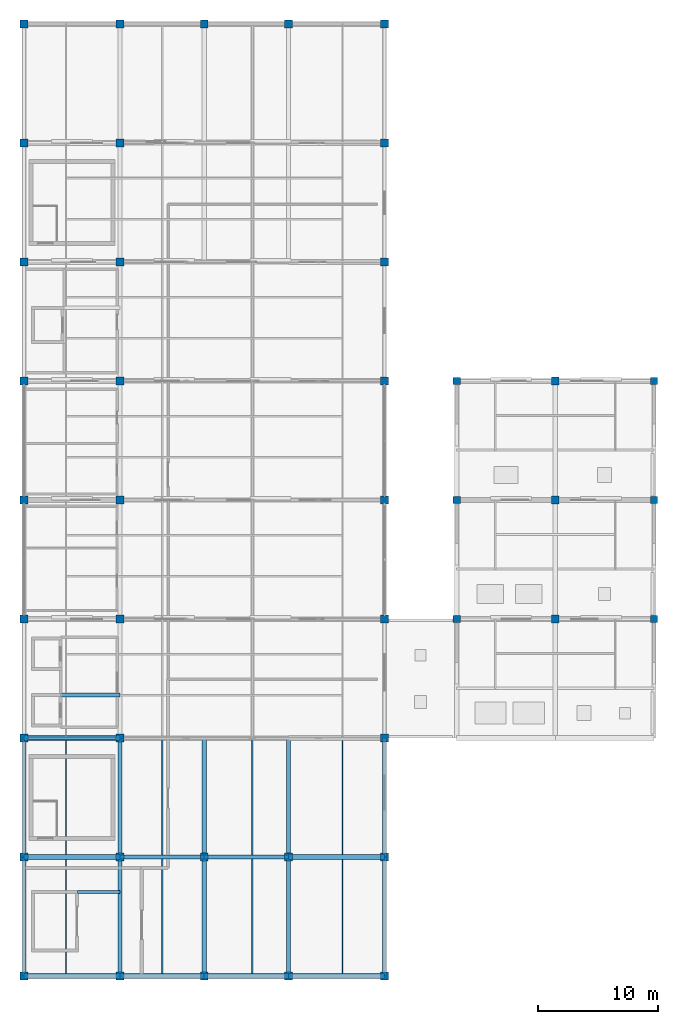
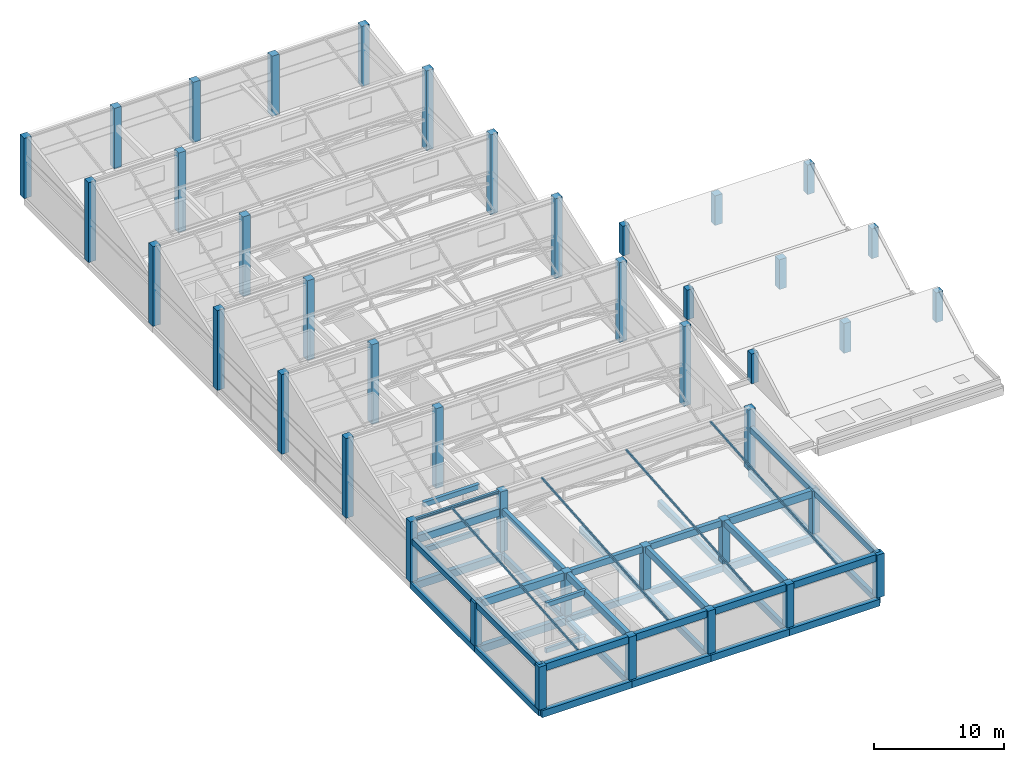
# One storey, part 1 of 35: 42 columns, 41 beams, 4 members.
"""IFC4 building model written with IfcOpenShell, lengths in metres."""

from ifc_helpers import new_model, si_unit, direction, frame, origin, origin_2d, place, context, subcontext, project, spatial, rectangle, hollow_rectangle, i_section, extrude, material, material_profile, profile_set, type_object, element, save


model = new_model("IFC4")

# Units and contexts
model_context = context("Model", 3, precision=1e-05, world=origin(), true_north=direction((0.0, 1.0)))
body_context = subcontext(model_context, "Body", "Model", "MODEL_VIEW")
ifc_project = project(units=[si_unit("LENGTHUNIT", "METRE"), si_unit("AREAUNIT", "SQUARE_METRE"), si_unit("VOLUMEUNIT", "CUBIC_METRE"), si_unit("PLANEANGLEUNIT", "RADIAN"), si_unit("MASSUNIT", "GRAM", prefix="KILO")], contexts=[model_context])

# Site, building, storey
site_placement = place(None, origin())
site = spatial("IfcSite", under=ifc_project, at=site_placement, CompositionType="ELEMENT")
building_placement = place(site_placement, origin())
building = spatial("IfcBuilding", under=site, at=building_placement, Name="Sillaruma Civic Art Gallery", CompositionType="ELEMENT")
storey_placement = place(building_placement, frame((0.0, 0.0, 74.4599609375)))
storey = spatial("IfcBuildingStorey", under=building, at=storey_placement, Name="L15", CompositionType="ELEMENT", Elevation=74.4599609375)

# Columns
ifc_material_1 = material(Name="Concrete H40 (40 MPa)", Category="concrete")
ifc_material_profile_1 = material_profile(ifc_material_1, rectangle(XDim=0.60009765625, YDim=0.60009765625, at=origin_2d()), Name="RC600x600")
ifc_profile_set_1 = profile_set([ifc_material_profile_1], Name="Concrete H40 (40 MPa)")
column_type_1 = type_object("IfcColumnType", Name="COL-COLUMN-RC600x600", PredefinedType="COLUMN", material=ifc_profile_set_1)
for number, where, z_axis, x_axis, name in (
    (1, (98.0, 49.5, 0.0), (0.0, 0.0, 1.0), (1.0, 0.0, 0.0), "Column C-08 (L15:L6)"),
    (2, (98.0, 59.39990234375, 0.0), (0.0, 0.0, 1.0), (1.0, 0.0, 0.0), "Column C-08 (L15:L7)"),
    (3, (98.0, 69.300048828125, 0.0), (0.0, 0.0, 1.0), (1.0, 0.0, 0.0), "Column C-08 (L15:L8)"),
    (4, (114.39990234375, 49.5, 0.0), (0.0, 0.0, 1.0), (1.0, 0.0, 0.0), "Column C-08 (L15:N6)"),
    (5, (114.39990234375, 59.39990234375, 0.0), (0.0, 0.0, 1.0), (1.0, 0.0, 0.0), "Column C-08 (L15:N7)"),
    (6, (114.39990234375, 69.300048828125, 0.0), (0.0, 0.0, 1.0), (1.0, 0.0, 0.0), "Column C-08 (L15:N8)"),
):
    element("IfcColumn", number, at=place(storey_placement, frame(where, z_axis=z_axis, x_axis=x_axis)), inside=storey, type_object=column_type_1, Name=name, PredefinedType="COLUMN", context=body_context, shape_type="SweptSolid", body=[
        extrude(rectangle(XDim=0.60009765625, YDim=0.60009765625, at=origin_2d()), origin(), (0.0, 0.0, 1.0), 2.7900390625),
    ])
ifc_material_profile_2 = material_profile(ifc_material_1, rectangle(XDim=0.64990234375, YDim=0.64990234375, at=origin_2d()), Name="RC650x650")
ifc_profile_set_2 = profile_set([ifc_material_profile_2], Name="Concrete H40 (40 MPa)")
column_type_2 = type_object("IfcColumnType", Name="COL-COLUMN-RC650x650", PredefinedType="COLUMN", material=ifc_profile_set_2)
for number, where, z_axis, x_axis, name in (
    (7, (62.0, 19.800048828125, 0.0), (0.0, 0.0, 1.0), (1.0, 0.0, 0.0), "Column C-07 (L15:F3)"),
    (8, (62.0, 29.699951171875, 0.0), (0.0, 0.0, 1.0), (1.0, 0.0, 0.0), "Column C-07 (L15:F4)"),
):
    element("IfcColumn", number, at=place(storey_placement, frame(where, z_axis=z_axis, x_axis=x_axis)), inside=storey, type_object=column_type_2, Name=name, PredefinedType="COLUMN", context=body_context, shape_type="SweptSolid", body=[
        extrude(rectangle(XDim=0.64990234375, YDim=0.64990234375, at=origin_2d()), origin(), (0.0, 0.0, 1.0), 4.0400390625),
    ])
column_1_placement = place(storey_placement, frame((62.0, 39.60009765625, 0.0), z_axis=(0.0, 0.0, 1.0), x_axis=(1.0, 0.0, 0.0)))
element("IfcColumn", 9, at=column_1_placement, inside=storey, type_object=column_type_2, Name="Column C-07 (L15:F5)", PredefinedType="COLUMN", context=body_context, shape_type="SweptSolid", body=[
    extrude(rectangle(XDim=0.64990234375, YDim=0.64990234375, at=origin_2d()), origin(), (0.0, 0.0, 1.0), 5.66015625),
])
for number, where, z_axis, x_axis, name in (
    (10, (62.0, 49.5, 0.0), (0.0, 0.0, 1.0), (1.0, 0.0, 0.0), "Column C-07 (L15:F6)"),
    (11, (62.0, 59.39990234375, 0.0), (0.0, 0.0, 1.0), (1.0, 0.0, 0.0), "Column C-07 (L15:F7)"),
    (12, (62.0, 69.300048828125, 0.0), (0.0, 0.0, 1.0), (1.0, 0.0, 0.0), "Column C-07 (L15:F8)"),
    (13, (62.0, 79.199951171875, 0.0), (0.0, 0.0, 1.0), (1.0, 0.0, 0.0), "Column C-07 (L15:F9)"),
    (14, (62.0, 89.10009765625, 0.0), (0.0, 0.0, 1.0), (1.0, 0.0, 0.0), "Column C-07 (L15:F10)"),
):
    element("IfcColumn", number, at=place(storey_placement, frame(where, z_axis=z_axis, x_axis=x_axis)), inside=storey, type_object=column_type_2, Name=name, PredefinedType="COLUMN", context=body_context, shape_type="SweptSolid", body=[
        extrude(rectangle(XDim=0.64990234375, YDim=0.64990234375, at=origin_2d()), origin(), (0.0, 0.0, 1.0), 7.489990234375),
    ])
column_2_placement = place(storey_placement, frame((62.0, 99.0, 0.0), z_axis=(0.0, 0.0, 1.0), x_axis=(1.0, 0.0, 0.0)))
element("IfcColumn", 15, at=column_2_placement, inside=storey, type_object=column_type_2, Name="Column C-07 (L15:F11)", PredefinedType="COLUMN", context=body_context, shape_type="SweptSolid", body=[
    extrude(rectangle(XDim=0.64990234375, YDim=0.64990234375, at=origin_2d()), origin(), (0.0, 0.0, 1.0), 5.66015625),
])
for number, where, z_axis, x_axis, name in (
    (16, (70.0, 19.800048828125, 0.0), (0.0, 0.0, 1.0), (1.0, 0.0, 0.0), "Column C-07 (L15:G3)"),
    (17, (70.0, 29.699951171875, 0.0), (0.0, 0.0, 1.0), (1.0, 0.0, 0.0), "Column C-07 (L15:G4)"),
):
    element("IfcColumn", number, at=place(storey_placement, frame(where, z_axis=z_axis, x_axis=x_axis)), inside=storey, type_object=column_type_2, Name=name, PredefinedType="COLUMN", context=body_context, shape_type="SweptSolid", body=[
        extrude(rectangle(XDim=0.64990234375, YDim=0.64990234375, at=origin_2d()), origin(), (0.0, 0.0, 1.0), 4.0400390625),
    ])
column_3_placement = place(storey_placement, frame((70.0, 39.60009765625, 0.0), z_axis=(0.0, 0.0, 1.0), x_axis=(1.0, 0.0, 0.0)))
element("IfcColumn", 18, at=column_3_placement, inside=storey, type_object=column_type_2, Name="Column C-07 (L15:G5)", PredefinedType="COLUMN", context=body_context, shape_type="SweptSolid", body=[
    extrude(rectangle(XDim=0.64990234375, YDim=0.64990234375, at=origin_2d()), origin(), (0.0, 0.0, 1.0), 5.66015625),
])
for number, where, z_axis, x_axis, name in (
    (19, (70.0, 49.5, 0.0), (0.0, 0.0, 1.0), (1.0, 0.0, 0.0), "Column C-07 (L15:G6)"),
    (20, (70.0, 59.39990234375, 0.0), (0.0, 0.0, 1.0), (1.0, 0.0, 0.0), "Column C-07 (L15:G7)"),
    (21, (70.0, 69.300048828125, 0.0), (0.0, 0.0, 1.0), (1.0, 0.0, 0.0), "Column C-07 (L15:G8)"),
    (22, (70.0, 79.199951171875, 0.0), (0.0, 0.0, 1.0), (1.0, 0.0, 0.0), "Column C-07 (L15:G9)"),
    (23, (70.0, 89.10009765625, 0.0), (0.0, 0.0, 1.0), (1.0, 0.0, 0.0), "Column C-07 (L15:G10)"),
):
    element("IfcColumn", number, at=place(storey_placement, frame(where, z_axis=z_axis, x_axis=x_axis)), inside=storey, type_object=column_type_2, Name=name, PredefinedType="COLUMN", context=body_context, shape_type="SweptSolid", body=[
        extrude(rectangle(XDim=0.64990234375, YDim=0.64990234375, at=origin_2d()), origin(), (0.0, 0.0, 1.0), 7.489990234375),
    ])
column_4_placement = place(storey_placement, frame((70.0, 99.0, 0.0), z_axis=(0.0, 0.0, 1.0), x_axis=(1.0, 0.0, 0.0)))
element("IfcColumn", 24, at=column_4_placement, inside=storey, type_object=column_type_2, Name="Column C-07 (L15:G11)", PredefinedType="COLUMN", context=body_context, shape_type="SweptSolid", body=[
    extrude(rectangle(XDim=0.64990234375, YDim=0.64990234375, at=origin_2d()), origin(), (0.0, 0.0, 1.0), 5.66015625),
])
for number, where, z_axis, x_axis, name in (
    (25, (77.0, 19.800048828125, 0.0), (0.0, 0.0, 1.0), (1.0, 0.0, 0.0), "Column C-07 (L15:H3)"),
    (26, (77.0, 29.699951171875, 0.0), (0.0, 0.0, 1.0), (1.0, 0.0, 0.0), "Column C-07 (L15:H4)"),
):
    element("IfcColumn", number, at=place(storey_placement, frame(where, z_axis=z_axis, x_axis=x_axis)), inside=storey, type_object=column_type_2, Name=name, PredefinedType="COLUMN", context=body_context, shape_type="SweptSolid", body=[
        extrude(rectangle(XDim=0.64990234375, YDim=0.64990234375, at=origin_2d()), origin(), (0.0, 0.0, 1.0), 4.0400390625),
    ])
column_5_placement = place(storey_placement, frame((77.0, 99.0, 0.0), z_axis=(0.0, 0.0, 1.0), x_axis=(1.0, 0.0, 0.0)))
element("IfcColumn", 27, at=column_5_placement, inside=storey, type_object=column_type_2, Name="Column C-07 (L15:H11)", PredefinedType="COLUMN", context=body_context, shape_type="SweptSolid", body=[
    extrude(rectangle(XDim=0.64990234375, YDim=0.64990234375, at=origin_2d()), origin(), (0.0, 0.0, 1.0), 5.66015625),
])
for number, where, z_axis, x_axis, name in (
    (28, (84.0, 19.800048828125, 0.0), (0.0, 0.0, 1.0), (1.0, 0.0, 0.0), "Column C-07 (L15:J3)"),
    (29, (84.0, 29.699951171875, 0.0), (0.0, 0.0, 1.0), (1.0, 0.0, 0.0), "Column C-07 (L15:J4)"),
):
    element("IfcColumn", number, at=place(storey_placement, frame(where, z_axis=z_axis, x_axis=x_axis)), inside=storey, type_object=column_type_2, Name=name, PredefinedType="COLUMN", context=body_context, shape_type="SweptSolid", body=[
        extrude(rectangle(XDim=0.64990234375, YDim=0.64990234375, at=origin_2d()), origin(), (0.0, 0.0, 1.0), 4.0400390625),
    ])
column_6_placement = place(storey_placement, frame((84.0, 99.0, 0.0), z_axis=(0.0, 0.0, 1.0), x_axis=(1.0, 0.0, 0.0)))
element("IfcColumn", 30, at=column_6_placement, inside=storey, type_object=column_type_2, Name="Column C-07 (L15:J11)", PredefinedType="COLUMN", context=body_context, shape_type="SweptSolid", body=[
    extrude(rectangle(XDim=0.64990234375, YDim=0.64990234375, at=origin_2d()), origin(), (0.0, 0.0, 1.0), 5.66015625),
])
for number, where, z_axis, x_axis, name in (
    (31, (92.0, 19.800048828125, 0.0), (0.0, 0.0, 1.0), (1.0, 0.0, 0.0), "Column C-07 (L15:K3)"),
    (32, (92.0, 29.699951171875, 0.0), (0.0, 0.0, 1.0), (1.0, 0.0, 0.0), "Column C-07 (L15:K4)"),
):
    element("IfcColumn", number, at=place(storey_placement, frame(where, z_axis=z_axis, x_axis=x_axis)), inside=storey, type_object=column_type_2, Name=name, PredefinedType="COLUMN", context=body_context, shape_type="SweptSolid", body=[
        extrude(rectangle(XDim=0.64990234375, YDim=0.64990234375, at=origin_2d()), origin(), (0.0, 0.0, 1.0), 4.0400390625),
    ])
column_7_placement = place(storey_placement, frame((92.0, 39.60009765625, 0.0), z_axis=(0.0, 0.0, 1.0), x_axis=(1.0, 0.0, 0.0)))
element("IfcColumn", 33, at=column_7_placement, inside=storey, type_object=column_type_2, Name="Column C-07 (L15:K5)", PredefinedType="COLUMN", context=body_context, shape_type="SweptSolid", body=[
    extrude(rectangle(XDim=0.64990234375, YDim=0.64990234375, at=origin_2d()), origin(), (0.0, 0.0, 1.0), 5.66015625),
])
for number, where, z_axis, x_axis, name in (
    (34, (92.0, 49.5, 0.0), (0.0, 0.0, 1.0), (1.0, 0.0, 0.0), "Column C-07 (L15:K6)"),
    (35, (92.0, 59.39990234375, 0.0), (0.0, 0.0, 1.0), (1.0, 0.0, 0.0), "Column C-07 (L15:K7)"),
    (36, (92.0, 69.300048828125, 0.0), (0.0, 0.0, 1.0), (1.0, 0.0, 0.0), "Column C-07 (L15:K8)"),
    (37, (92.0, 79.199951171875, 0.0), (0.0, 0.0, 1.0), (1.0, 0.0, 0.0), "Column C-07 (L15:K9)"),
    (38, (92.0, 89.10009765625, 0.0), (0.0, 0.0, 1.0), (1.0, 0.0, 0.0), "Column C-07 (L15:K10)"),
):
    element("IfcColumn", number, at=place(storey_placement, frame(where, z_axis=z_axis, x_axis=x_axis)), inside=storey, type_object=column_type_2, Name=name, PredefinedType="COLUMN", context=body_context, shape_type="SweptSolid", body=[
        extrude(rectangle(XDim=0.64990234375, YDim=0.64990234375, at=origin_2d()), origin(), (0.0, 0.0, 1.0), 7.489990234375),
    ])
column_8_placement = place(storey_placement, frame((92.0, 99.0, 0.0), z_axis=(0.0, 0.0, 1.0), x_axis=(1.0, 0.0, 0.0)))
element("IfcColumn", 39, at=column_8_placement, inside=storey, type_object=column_type_2, Name="Column C-07 (L15:K11)", PredefinedType="COLUMN", context=body_context, shape_type="SweptSolid", body=[
    extrude(rectangle(XDim=0.64990234375, YDim=0.64990234375, at=origin_2d()), origin(), (0.0, 0.0, 1.0), 5.66015625),
])
for number, where, z_axis, x_axis, name in (
    (40, (106.199951171875, 49.5, 0.0), (0.0, 0.0, 1.0), (1.0, 0.0, 0.0), "Column C-07 (L15:M6)"),
    (41, (106.199951171875, 59.39990234375, 0.0), (0.0, 0.0, 1.0), (1.0, 0.0, 0.0), "Column C-07 (L15:M7)"),
    (42, (106.199951171875, 69.300048828125, 0.0), (0.0, 0.0, 1.0), (1.0, 0.0, 0.0), "Column C-07 (L15:M8)"),
):
    element("IfcColumn", number, at=place(storey_placement, frame(where, z_axis=z_axis, x_axis=x_axis)), inside=storey, type_object=column_type_2, Name=name, PredefinedType="COLUMN", context=body_context, shape_type="SweptSolid", body=[
        extrude(rectangle(XDim=0.64990234375, YDim=0.64990234375, at=origin_2d()), origin(), (0.0, 0.0, 1.0), 2.7900390625),
    ])

# Beams
ifc_material_2 = material(Name="Concrete H35 (35 MPa)", Category="concrete")
ifc_material_profile_3 = material_profile(ifc_material_2, rectangle(XDim=0.35009765625, YDim=0.60009765625, at=origin_2d()), Name="RCB350x600")
ifc_profile_set_3 = profile_set([ifc_material_profile_3], Name="Concrete H35 (35 MPa)")
beam_type_1 = type_object("IfcBeamType", Name="BM-BEAM-RCB350x600", PredefinedType="BEAM", material=ifc_profile_set_3)
for number, where, z_axis, x_axis, name in (
    (43, (70.0, 29.699951171875, -0.550048828125), (1.0, 0.0, 0.0), (0.0, 1.0, 0.0), "Beam BM-06 (L14:4:G-H)"),
    (44, (77.0, 29.699951171875, -0.550048828125), (1.0, 0.0, 0.0), (0.0, 1.0, 0.0), "Beam BM-06 (L14:4:H-J)"),
):
    element("IfcBeam", number, at=place(storey_placement, frame(where, z_axis=z_axis, x_axis=x_axis)), inside=storey, type_object=beam_type_1, Name=name, PredefinedType="BEAM", context=body_context, shape_type="SweptSolid", body=[
        extrude(rectangle(XDim=0.35009765625, YDim=0.60009765625, at=origin_2d()), origin(), (0.0, 0.0, 1.0), 7.0),
    ])
beam_1_placement = place(storey_placement, frame((70.0, 19.800048828125, -0.550048828125), z_axis=(0.0, 1.0, 0.0), x_axis=(-1.0, 0.0, 0.0)))
element("IfcBeam", 45, at=beam_1_placement, inside=storey, type_object=beam_type_1, Name="Beam BM-06 (L14:G:3-4)", PredefinedType="BEAM", context=body_context, shape_type="SweptSolid", body=[
    extrude(rectangle(XDim=0.35009765625, YDim=0.60009765625, at=origin_2d()), origin(), (0.0, 0.0, 1.0), 9.89990234375),
])
beam_2_placement = place(storey_placement, frame((70.0, 29.699951171875, -0.550048828125), z_axis=(0.0, 1.0, 0.0), x_axis=(-1.0, 0.0, 0.0)))
element("IfcBeam", 46, at=beam_2_placement, inside=storey, type_object=beam_type_1, Name="Beam BM-06 (L14:G:4-5)", PredefinedType="BEAM", context=body_context, shape_type="SweptSolid", body=[
    extrude(rectangle(XDim=0.35009765625, YDim=0.60009765625, at=origin_2d()), origin(), (0.0, 0.0, 1.0), 9.900146484375),
])
beam_3_placement = place(storey_placement, frame((77.0, 19.800048828125, -0.550048828125), z_axis=(0.0, 1.0, 0.0), x_axis=(-1.0, 0.0, 0.0)))
element("IfcBeam", 47, at=beam_3_placement, inside=storey, type_object=beam_type_1, Name="Beam BM-06 (L14:H:3-4)", PredefinedType="BEAM", context=body_context, shape_type="SweptSolid", body=[
    extrude(rectangle(XDim=0.35009765625, YDim=0.60009765625, at=origin_2d()), origin(), (0.0, 0.0, 1.0), 9.89990234375),
])
beam_4_placement = place(storey_placement, frame((77.0, 29.699951171875, -0.550048828125), z_axis=(0.0, 1.0, 0.0), x_axis=(-1.0, 0.0, 0.0)))
element("IfcBeam", 48, at=beam_4_placement, inside=storey, type_object=beam_type_1, Name="Beam BM-06 (L14:H:4-5)", PredefinedType="BEAM", context=body_context, shape_type="SweptSolid", body=[
    extrude(rectangle(XDim=0.35009765625, YDim=0.60009765625, at=origin_2d()), origin(), (0.0, 0.0, 1.0), 9.900146484375),
])
beam_5_placement = place(storey_placement, frame((84.0, 19.800048828125, -0.550048828125), z_axis=(0.0, 1.0, 0.0), x_axis=(-1.0, 0.0, 0.0)))
element("IfcBeam", 49, at=beam_5_placement, inside=storey, type_object=beam_type_1, Name="Beam BM-06 (L14:J:3-4)", PredefinedType="BEAM", context=body_context, shape_type="SweptSolid", body=[
    extrude(rectangle(XDim=0.35009765625, YDim=0.60009765625, at=origin_2d()), origin(), (0.0, 0.0, 1.0), 9.89990234375),
])
beam_6_placement = place(storey_placement, frame((84.0, 29.699951171875, -0.550048828125), z_axis=(0.0, 1.0, 0.0), x_axis=(-1.0, 0.0, 0.0)))
element("IfcBeam", 50, at=beam_6_placement, inside=storey, type_object=beam_type_1, Name="Beam BM-06 (L14:J:4-5)", PredefinedType="BEAM", context=body_context, shape_type="SweptSolid", body=[
    extrude(rectangle(XDim=0.35009765625, YDim=0.60009765625, at=origin_2d()), origin(), (0.0, 0.0, 1.0), 9.900146484375),
])
ifc_material_profile_4 = material_profile(ifc_material_2, rectangle(XDim=0.39990234375, YDim=0.699951171875, at=origin_2d()), Name="RCB400x700")
ifc_profile_set_4 = profile_set([ifc_material_profile_4], Name="Concrete H35 (35 MPa)")
beam_type_2 = type_object("IfcBeamType", Name="BM-BEAM-RCB400x700", PredefinedType="BEAM", material=ifc_profile_set_4)
for number, where, z_axis, x_axis, name in (
    (51, (62.0, 29.699951171875, -0.599853515625), (1.0, 0.0, 0.0), (0.0, 1.0, 0.0), "Beam BM-04 (L14:4:F-G)"),
    (52, (84.0, 29.699951171875, -0.599853515625), (1.0, 0.0, 0.0), (0.0, 1.0, 0.0), "Beam BM-04 (L14:4:J-K)"),
    (53, (62.0, 39.60009765625, -0.599853515625), (1.0, 0.0, 0.0), (0.0, 1.0, 0.0), "Beam BM-04 (L14:5:F-G)"),
):
    element("IfcBeam", number, at=place(storey_placement, frame(where, z_axis=z_axis, x_axis=x_axis)), inside=storey, type_object=beam_type_2, Name=name, PredefinedType="BEAM", context=body_context, shape_type="SweptSolid", body=[
        extrude(rectangle(XDim=0.39990234375, YDim=0.699951171875, at=origin_2d()), origin(), (0.0, 0.0, 1.0), 8.0),
    ])
ifc_material_profile_5 = material_profile(ifc_material_2, rectangle(XDim=0.260009765625, YDim=0.419921875, at=origin_2d()), Name="RCB260x420")
ifc_profile_set_5 = profile_set([ifc_material_profile_5], Name="Concrete H35 (35 MPa)")
beam_type_3 = type_object("IfcBeamType", Name="BM-LINTEL-RCB260x420", PredefinedType="LINTEL", material=ifc_profile_set_5)
beam_7_placement = place(storey_placement, frame((66.449951171875, 26.780029296875, -0.4599609375), z_axis=(1.0, 0.0, 0.0), x_axis=(0.0, 1.0, 0.0)))
element("IfcBeam", 54, at=beam_7_placement, inside=storey, type_object=beam_type_3, Name="Core Portal Coupling Lintel BL-02 (L14:GL1)", PredefinedType="LINTEL", context=body_context, shape_type="SweptSolid", body=[
    extrude(rectangle(XDim=0.260009765625, YDim=0.419921875, at=origin_2d()), origin(), (0.0, 0.0, 1.0), 3.550048828125),
])
ifc_material_profile_6 = material_profile(ifc_material_2, rectangle(XDim=0.300048828125, YDim=0.4599609375, at=origin_2d()), Name="RCB300x460")
ifc_profile_set_6 = profile_set([ifc_material_profile_6], Name="Concrete H35 (35 MPa)")
beam_type_4 = type_object("IfcBeamType", Name="BM-LINTEL-RCB300x460", PredefinedType="LINTEL", material=ifc_profile_set_6)
beam_8_placement = place(storey_placement, frame((65.050048828125, 43.179931640625, -0.47998046875), z_axis=(1.0, 0.0, 0.0), x_axis=(0.0, 1.0, 0.0)))
element("IfcBeam", 55, at=beam_8_placement, inside=storey, type_object=beam_type_4, Name="Core Portal Coupling Lintel BL-01 (L14:PL1)", PredefinedType="LINTEL", context=body_context, shape_type="SweptSolid", body=[
    extrude(rectangle(XDim=0.300048828125, YDim=0.4599609375, at=origin_2d()), origin(), (0.0, 0.0, 1.0), 4.949951171875),
])
ifc_material_profile_7 = material_profile(ifc_material_2, rectangle(XDim=0.260009765625, YDim=0.419921875, at=origin_2d()), Name="RCB260x420")
ifc_profile_set_7 = profile_set([ifc_material_profile_7], Name="Concrete H35 (35 MPa)")
beam_type_5 = type_object("IfcBeamType", Name="BM-RLINTEL-RCB260x420", PredefinedType="LINTEL", material=ifc_profile_set_7)
beam_9_placement = place(storey_placement, frame((66.449951171875, 26.780029296875, 3.830078125), z_axis=(1.0, 0.0, 0.0), x_axis=(0.0, 1.0, 0.0)))
element("IfcBeam", 56, at=beam_9_placement, inside=storey, type_object=beam_type_5, Name="Core Portal Coupling Lintel BLR-02 (L15:GL1)", PredefinedType="LINTEL", context=body_context, shape_type="SweptSolid", body=[
    extrude(rectangle(XDim=0.260009765625, YDim=0.419921875, at=origin_2d()), origin(), (0.0, 0.0, 1.0), 3.550048828125),
])
ifc_material_profile_8 = material_profile(ifc_material_2, rectangle(XDim=0.300048828125, YDim=0.4599609375, at=origin_2d()), Name="RCB300x460")
ifc_profile_set_8 = profile_set([ifc_material_profile_8], Name="Concrete H35 (35 MPa)")
beam_type_6 = type_object("IfcBeamType", Name="BM-RLINTEL-RCB300x460", PredefinedType="LINTEL", material=ifc_profile_set_8)
beam_10_placement = place(storey_placement, frame((65.050048828125, 43.179931640625, 3.81005859375), z_axis=(1.0, 0.0, 0.0), x_axis=(0.0, 1.0, 0.0)))
element("IfcBeam", 57, at=beam_10_placement, inside=storey, type_object=beam_type_6, Name="Core Portal Coupling Lintel BLR-01 (L15:PL1)", PredefinedType="LINTEL", context=body_context, shape_type="SweptSolid", body=[
    extrude(rectangle(XDim=0.300048828125, YDim=0.4599609375, at=origin_2d()), origin(), (0.0, 0.0, 1.0), 4.949951171875),
])
ifc_material_profile_9 = material_profile(ifc_material_2, rectangle(XDim=0.35009765625, YDim=0.550048828125, at=origin_2d()), Name="RCB350x550")
ifc_profile_set_9 = profile_set([ifc_material_profile_9], Name="Concrete H35 (35 MPa)")
beam_type_7 = type_object("IfcBeamType", Name="BM-ROF-RCB350x550", PredefinedType="SPANDREL", material=ifc_profile_set_9)
beam_11_placement = place(storey_placement, frame((62.0, 19.800048828125, 3.76513671875), z_axis=(0.0, 1.0, 0.0), x_axis=(-1.0, 0.0, 0.0)))
element("IfcBeam", 58, at=beam_11_placement, inside=storey, type_object=beam_type_7, Name="Beam BSR-04 (L15:F:3-4)", PredefinedType="SPANDREL", context=body_context, shape_type="SweptSolid", body=[
    extrude(rectangle(XDim=0.35009765625, YDim=0.550048828125, at=origin_2d()), origin(), (0.0, 0.0, 1.0), 9.89990234375),
])
beam_12_placement = place(storey_placement, frame((62.0, 29.699951171875, 3.76513671875), z_axis=(0.0, 1.0, 0.0), x_axis=(-1.0, 0.0, 0.0)))
element("IfcBeam", 59, at=beam_12_placement, inside=storey, type_object=beam_type_7, Name="Beam BSR-04 (L15:F:4-5)", PredefinedType="SPANDREL", context=body_context, shape_type="SweptSolid", body=[
    extrude(rectangle(XDim=0.35009765625, YDim=0.550048828125, at=origin_2d()), origin(), (0.0, 0.0, 1.0), 9.900146484375),
])
beam_13_placement = place(storey_placement, frame((92.0, 19.800048828125, 3.76513671875), z_axis=(0.0, 1.0, 0.0), x_axis=(-1.0, 0.0, 0.0)))
element("IfcBeam", 60, at=beam_13_placement, inside=storey, type_object=beam_type_7, Name="Beam BSR-04 (L15:K:3-4)", PredefinedType="SPANDREL", context=body_context, shape_type="SweptSolid", body=[
    extrude(rectangle(XDim=0.35009765625, YDim=0.550048828125, at=origin_2d()), origin(), (0.0, 0.0, 1.0), 9.89990234375),
])
beam_14_placement = place(storey_placement, frame((92.0, 29.699951171875, 3.76513671875), z_axis=(0.0, 1.0, 0.0), x_axis=(-1.0, 0.0, 0.0)))
element("IfcBeam", 61, at=beam_14_placement, inside=storey, type_object=beam_type_7, Name="Beam BSR-04 (L15:K:4-5)", PredefinedType="SPANDREL", context=body_context, shape_type="SweptSolid", body=[
    extrude(rectangle(XDim=0.35009765625, YDim=0.550048828125, at=origin_2d()), origin(), (0.0, 0.0, 1.0), 9.900146484375),
])
ifc_material_profile_10 = material_profile(ifc_material_2, rectangle(XDim=0.35009765625, YDim=0.60009765625, at=origin_2d()), Name="RCB350x600")
ifc_profile_set_10 = profile_set([ifc_material_profile_10], Name="Concrete H35 (35 MPa)")
beam_type_8 = type_object("IfcBeamType", Name="BM-ROF-RCB350x600", PredefinedType="BEAM", material=ifc_profile_set_10)
for number, where, z_axis, x_axis, name in (
    (62, (70.0, 29.699951171875, 3.739990234375), (1.0, 0.0, 0.0), (0.0, 1.0, 0.0), "Beam BRF-06 (L15:4:G-H)"),
    (63, (77.0, 29.699951171875, 3.739990234375), (1.0, 0.0, 0.0), (0.0, 1.0, 0.0), "Beam BRF-06 (L15:4:H-J)"),
):
    element("IfcBeam", number, at=place(storey_placement, frame(where, z_axis=z_axis, x_axis=x_axis)), inside=storey, type_object=beam_type_8, Name=name, PredefinedType="BEAM", context=body_context, shape_type="SweptSolid", body=[
        extrude(rectangle(XDim=0.35009765625, YDim=0.60009765625, at=origin_2d()), origin(), (0.0, 0.0, 1.0), 7.0),
    ])
beam_15_placement = place(storey_placement, frame((70.0, 19.800048828125, 3.739990234375), z_axis=(0.0, 1.0, 0.0), x_axis=(-1.0, 0.0, 0.0)))
element("IfcBeam", 64, at=beam_15_placement, inside=storey, type_object=beam_type_8, Name="Beam BRF-06 (L15:G:3-4)", PredefinedType="BEAM", context=body_context, shape_type="SweptSolid", body=[
    extrude(rectangle(XDim=0.35009765625, YDim=0.60009765625, at=origin_2d()), origin(), (0.0, 0.0, 1.0), 9.89990234375),
])
beam_16_placement = place(storey_placement, frame((70.0, 29.699951171875, 3.739990234375), z_axis=(0.0, 1.0, 0.0), x_axis=(-1.0, 0.0, 0.0)))
element("IfcBeam", 65, at=beam_16_placement, inside=storey, type_object=beam_type_8, Name="Beam BRF-06 (L15:G:4-5)", PredefinedType="BEAM", context=body_context, shape_type="SweptSolid", body=[
    extrude(rectangle(XDim=0.35009765625, YDim=0.60009765625, at=origin_2d()), origin(), (0.0, 0.0, 1.0), 9.900146484375),
])
for number, where, z_axis, x_axis, name in (
    (66, (77.0, 19.800048828125, 3.739990234375), (0.0, 1.0, 0.0), (-1.0, 0.0, 0.0), "Beam BRF-06 (L15:H:3-4)"),
    (67, (84.0, 19.800048828125, 3.739990234375), (0.0, 1.0, 0.0), (-1.0, 0.0, 0.0), "Beam BRF-06 (L15:J:3-4)"),
):
    element("IfcBeam", number, at=place(storey_placement, frame(where, z_axis=z_axis, x_axis=x_axis)), inside=storey, type_object=beam_type_8, Name=name, PredefinedType="BEAM", context=body_context, shape_type="SweptSolid", body=[
        extrude(rectangle(XDim=0.35009765625, YDim=0.60009765625, at=origin_2d()), origin(), (0.0, 0.0, 1.0), 9.89990234375),
    ])
ifc_material_profile_11 = material_profile(ifc_material_2, rectangle(XDim=0.39990234375, YDim=0.64990234375, at=origin_2d()), Name="RCB400x650")
ifc_profile_set_11 = profile_set([ifc_material_profile_11], Name="Concrete H35 (35 MPa)")
beam_type_9 = type_object("IfcBeamType", Name="BM-ROF-RCB400x650", PredefinedType="SPANDREL", material=ifc_profile_set_11)
beam_17_placement = place(storey_placement, frame((62.0, 19.800048828125, 3.715087890625), z_axis=(1.0, 0.0, 0.0), x_axis=(0.0, 1.0, 0.0)))
element("IfcBeam", 68, at=beam_17_placement, inside=storey, type_object=beam_type_9, Name="Beam BSR-02 (L15:3:F-G)", PredefinedType="SPANDREL", context=body_context, shape_type="SweptSolid", body=[
    extrude(rectangle(XDim=0.39990234375, YDim=0.64990234375, at=origin_2d()), origin(), (0.0, 0.0, 1.0), 8.0),
])
for number, where, z_axis, x_axis, name in (
    (69, (70.0, 19.800048828125, 3.715087890625), (1.0, 0.0, 0.0), (0.0, 1.0, 0.0), "Beam BSR-02 (L15:3:G-H)"),
    (70, (77.0, 19.800048828125, 3.715087890625), (1.0, 0.0, 0.0), (0.0, 1.0, 0.0), "Beam BSR-02 (L15:3:H-J)"),
):
    element("IfcBeam", number, at=place(storey_placement, frame(where, z_axis=z_axis, x_axis=x_axis)), inside=storey, type_object=beam_type_9, Name=name, PredefinedType="SPANDREL", context=body_context, shape_type="SweptSolid", body=[
        extrude(rectangle(XDim=0.39990234375, YDim=0.64990234375, at=origin_2d()), origin(), (0.0, 0.0, 1.0), 7.0),
    ])
beam_18_placement = place(storey_placement, frame((84.0, 19.800048828125, 3.715087890625), z_axis=(1.0, 0.0, 0.0), x_axis=(0.0, 1.0, 0.0)))
element("IfcBeam", 71, at=beam_18_placement, inside=storey, type_object=beam_type_9, Name="Beam BSR-02 (L15:3:J-K)", PredefinedType="SPANDREL", context=body_context, shape_type="SweptSolid", body=[
    extrude(rectangle(XDim=0.39990234375, YDim=0.64990234375, at=origin_2d()), origin(), (0.0, 0.0, 1.0), 8.0),
])
ifc_material_profile_12 = material_profile(ifc_material_2, rectangle(XDim=0.39990234375, YDim=0.699951171875, at=origin_2d()), Name="RCB400x700")
ifc_profile_set_12 = profile_set([ifc_material_profile_12], Name="Concrete H35 (35 MPa)")
beam_type_10 = type_object("IfcBeamType", Name="BM-ROF-RCB400x700", PredefinedType="BEAM", material=ifc_profile_set_12)
for number, where, z_axis, x_axis, name in (
    (72, (62.0, 29.699951171875, 3.68994140625), (1.0, 0.0, 0.0), (0.0, 1.0, 0.0), "Beam BRF-04 (L15:4:F-G)"),
    (73, (84.0, 29.699951171875, 3.68994140625), (1.0, 0.0, 0.0), (0.0, 1.0, 0.0), "Beam BRF-04 (L15:4:J-K)"),
    (74, (62.0, 39.60009765625, 3.68994140625), (1.0, 0.0, 0.0), (0.0, 1.0, 0.0), "Beam BRF-04 (L15:5:F-G)"),
):
    element("IfcBeam", number, at=place(storey_placement, frame(where, z_axis=z_axis, x_axis=x_axis)), inside=storey, type_object=beam_type_10, Name=name, PredefinedType="BEAM", context=body_context, shape_type="SweptSolid", body=[
        extrude(rectangle(XDim=0.39990234375, YDim=0.699951171875, at=origin_2d()), origin(), (0.0, 0.0, 1.0), 8.0),
    ])
ifc_material_3 = material(Name="Structural Steel ASTM A992 Gr.50", Category="steel")
ifc_material_profile_13 = material_profile(ifc_material_3, i_section(OverallWidth=0.2041015625, OverallDepth=0.257080078125, WebThickness=0.0087890625, FlangeThickness=0.015625, FilletRadius=0.012939453125, at=origin_2d()), Name="W250x67")
ifc_profile_set_13 = profile_set([ifc_material_profile_13], Name="Structural Steel ASTM A992 Gr.50")
beam_type_11 = type_object("IfcBeamType", Name="BM-SAW-W250x67", PredefinedType="BEAM", material=ifc_profile_set_13)
beam_19_placement = place(storey_placement, frame((62.0, 39.60009765625, 5.530029296875), z_axis=(1.0, 0.0, 0.0), x_axis=(0.0, 1.0, 0.0)))
element("IfcBeam", 75, at=beam_19_placement, inside=storey, type_object=beam_type_11, Name="Crown Ridge Steel Girder (S-FG)", PredefinedType="BEAM", context=body_context, shape_type="SweptSolid", body=[
    extrude(i_section(OverallWidth=0.2041015625, OverallDepth=0.257080078125, WebThickness=0.0087890625, FlangeThickness=0.015625, FilletRadius=0.012939453125, at=origin_2d()), origin(), (0.0, 0.0, 1.0), 8.0),
])
ifc_material_profile_14 = material_profile(ifc_material_2, rectangle(XDim=0.35009765625, YDim=0.550048828125, at=origin_2d()), Name="RCB350x550")
ifc_profile_set_14 = profile_set([ifc_material_profile_14], Name="Concrete H35 (35 MPa)")
beam_type_12 = type_object("IfcBeamType", Name="BM-SPANDREL-RCB350x550", PredefinedType="SPANDREL", material=ifc_profile_set_14)
beam_20_placement = place(storey_placement, frame((62.0, 19.800048828125, -0.52490234375), z_axis=(0.0, 1.0, 0.0), x_axis=(-1.0, 0.0, 0.0)))
element("IfcBeam", 76, at=beam_20_placement, inside=storey, type_object=beam_type_12, Name="Beam BS-04 (L14:F:3-4)", PredefinedType="SPANDREL", context=body_context, shape_type="SweptSolid", body=[
    extrude(rectangle(XDim=0.35009765625, YDim=0.550048828125, at=origin_2d()), origin(), (0.0, 0.0, 1.0), 9.89990234375),
])
beam_21_placement = place(storey_placement, frame((62.0, 29.699951171875, -0.52490234375), z_axis=(0.0, 1.0, 0.0), x_axis=(-1.0, 0.0, 0.0)))
element("IfcBeam", 77, at=beam_21_placement, inside=storey, type_object=beam_type_12, Name="Beam BS-04 (L14:F:4-5)", PredefinedType="SPANDREL", context=body_context, shape_type="SweptSolid", body=[
    extrude(rectangle(XDim=0.35009765625, YDim=0.550048828125, at=origin_2d()), origin(), (0.0, 0.0, 1.0), 9.900146484375),
])
beam_22_placement = place(storey_placement, frame((92.0, 19.800048828125, -0.52490234375), z_axis=(0.0, 1.0, 0.0), x_axis=(-1.0, 0.0, 0.0)))
element("IfcBeam", 78, at=beam_22_placement, inside=storey, type_object=beam_type_12, Name="Beam BS-04 (L14:K:3-4)", PredefinedType="SPANDREL", context=body_context, shape_type="SweptSolid", body=[
    extrude(rectangle(XDim=0.35009765625, YDim=0.550048828125, at=origin_2d()), origin(), (0.0, 0.0, 1.0), 9.89990234375),
])
beam_23_placement = place(storey_placement, frame((92.0, 29.699951171875, -0.52490234375), z_axis=(0.0, 1.0, 0.0), x_axis=(-1.0, 0.0, 0.0)))
element("IfcBeam", 79, at=beam_23_placement, inside=storey, type_object=beam_type_12, Name="Beam BS-04 (L14:K:4-5)", PredefinedType="SPANDREL", context=body_context, shape_type="SweptSolid", body=[
    extrude(rectangle(XDim=0.35009765625, YDim=0.550048828125, at=origin_2d()), origin(), (0.0, 0.0, 1.0), 9.900146484375),
])
ifc_material_profile_15 = material_profile(ifc_material_2, rectangle(XDim=0.39990234375, YDim=0.64990234375, at=origin_2d()), Name="RCB400x650")
ifc_profile_set_15 = profile_set([ifc_material_profile_15], Name="Concrete H35 (35 MPa)")
beam_type_13 = type_object("IfcBeamType", Name="BM-SPANDREL-RCB400x650", PredefinedType="SPANDREL", material=ifc_profile_set_15)
beam_24_placement = place(storey_placement, frame((62.0, 19.800048828125, -0.574951171875), z_axis=(1.0, 0.0, 0.0), x_axis=(0.0, 1.0, 0.0)))
element("IfcBeam", 80, at=beam_24_placement, inside=storey, type_object=beam_type_13, Name="Beam BS-02 (L14:3:F-G)", PredefinedType="SPANDREL", context=body_context, shape_type="SweptSolid", body=[
    extrude(rectangle(XDim=0.39990234375, YDim=0.64990234375, at=origin_2d()), origin(), (0.0, 0.0, 1.0), 8.0),
])
for number, where, z_axis, x_axis, name in (
    (81, (70.0, 19.800048828125, -0.574951171875), (1.0, 0.0, 0.0), (0.0, 1.0, 0.0), "Beam BS-02 (L14:3:G-H)"),
    (82, (77.0, 19.800048828125, -0.574951171875), (1.0, 0.0, 0.0), (0.0, 1.0, 0.0), "Beam BS-02 (L14:3:H-J)"),
):
    element("IfcBeam", number, at=place(storey_placement, frame(where, z_axis=z_axis, x_axis=x_axis)), inside=storey, type_object=beam_type_13, Name=name, PredefinedType="SPANDREL", context=body_context, shape_type="SweptSolid", body=[
        extrude(rectangle(XDim=0.39990234375, YDim=0.64990234375, at=origin_2d()), origin(), (0.0, 0.0, 1.0), 7.0),
    ])
beam_25_placement = place(storey_placement, frame((84.0, 19.800048828125, -0.574951171875), z_axis=(1.0, 0.0, 0.0), x_axis=(0.0, 1.0, 0.0)))
element("IfcBeam", 83, at=beam_25_placement, inside=storey, type_object=beam_type_13, Name="Beam BS-02 (L14:3:J-K)", PredefinedType="SPANDREL", context=body_context, shape_type="SweptSolid", body=[
    extrude(rectangle(XDim=0.39990234375, YDim=0.64990234375, at=origin_2d()), origin(), (0.0, 0.0, 1.0), 8.0),
])

# Members
ifc_material_4 = material(Name="Structural Steel ASTM A500 Gr.C", Category="steel")
ifc_material_profile_16 = material_profile(ifc_material_4, hollow_rectangle(XDim=0.1201171875, YDim=0.199951171875, WallThickness=0.008056640625, InnerFilletRadius=0.008056640625, OuterFilletRadius=0.01611328125, at=origin_2d()), Name="HSS200x120x8")
ifc_profile_set_16 = profile_set([ifc_material_profile_16], Name="Structural Steel ASTM A500 Gr.C")
member_type = type_object("IfcMemberType", Name="MEM-RAF-HSS200", PredefinedType="PURLIN", material=ifc_profile_set_16)
for number, where, z_axis, x_axis, name in (
    (84, (65.5, 19.800048828125, 3.900146484375), (0.0, 0.996629068341, 0.082039625408), (-1.0, 0.0, 0.0), "Crown Sloped Steel Rafter (S-FW)"),
    (85, (73.5, 19.800048828125, 3.900146484375), (0.0, 0.996629068341, 0.082039625408), (-1.0, 0.0, 0.0), "Crown Sloped Steel Rafter (S-W)"),
    (86, (81.0, 19.800048828125, 3.900146484375), (0.0, 0.996629068341, 0.082039625408), (-1.0, 0.0, 0.0), "Crown Sloped Steel Rafter (S-C)"),
    (87, (88.5, 19.800048828125, 3.900146484375), (0.0, 0.996629068341, 0.082039625408), (-1.0, 0.0, 0.0), "Crown Sloped Steel Rafter (S-E)"),
):
    element("IfcMember", number, at=place(storey_placement, frame(where, z_axis=z_axis, x_axis=x_axis)), inside=storey, type_object=member_type, Name=name, PredefinedType="PURLIN", context=body_context, shape_type="SweptSolid", body=[
        extrude(hollow_rectangle(XDim=0.1201171875, YDim=0.199951171875, WallThickness=0.008056640625, InnerFilletRadius=0.008056640625, OuterFilletRadius=0.01611328125, at=origin_2d()), origin(), (0.0, 0.0, 1.0), 19.866943359375),
    ])

save(model, "model.ifc")
